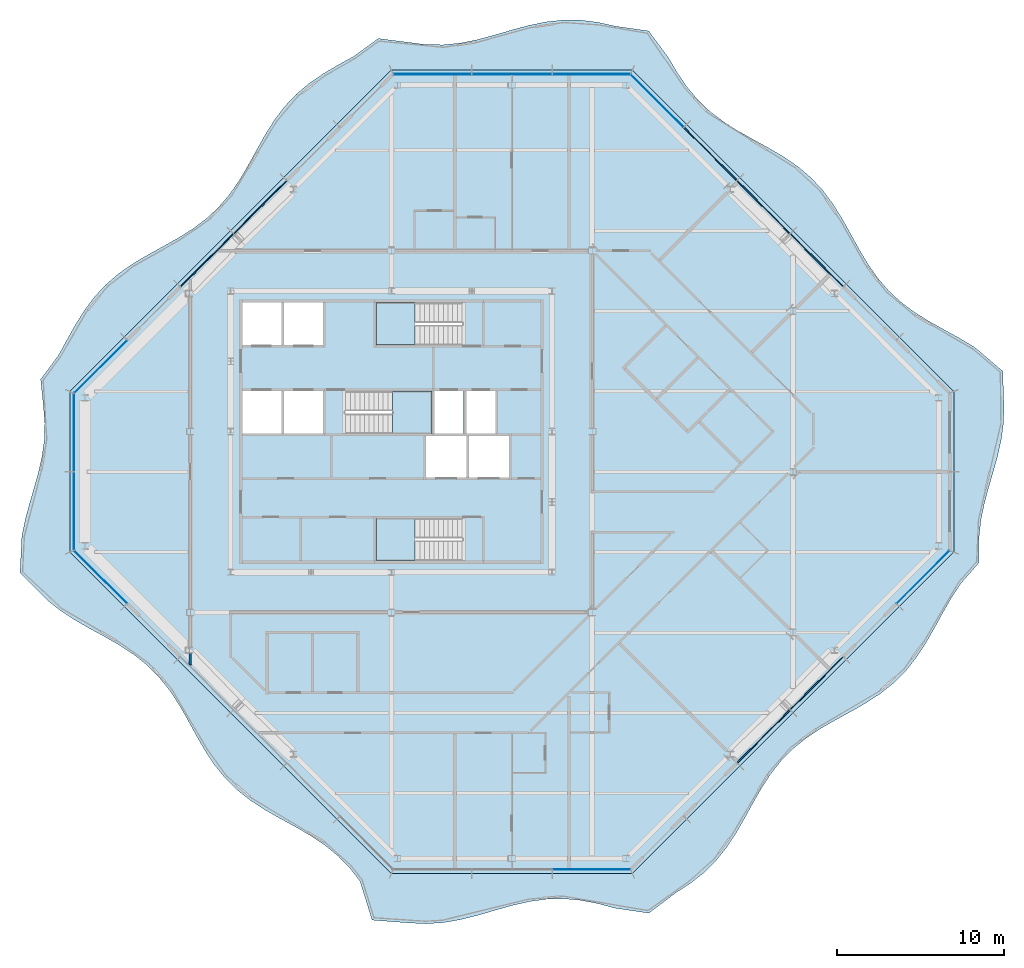
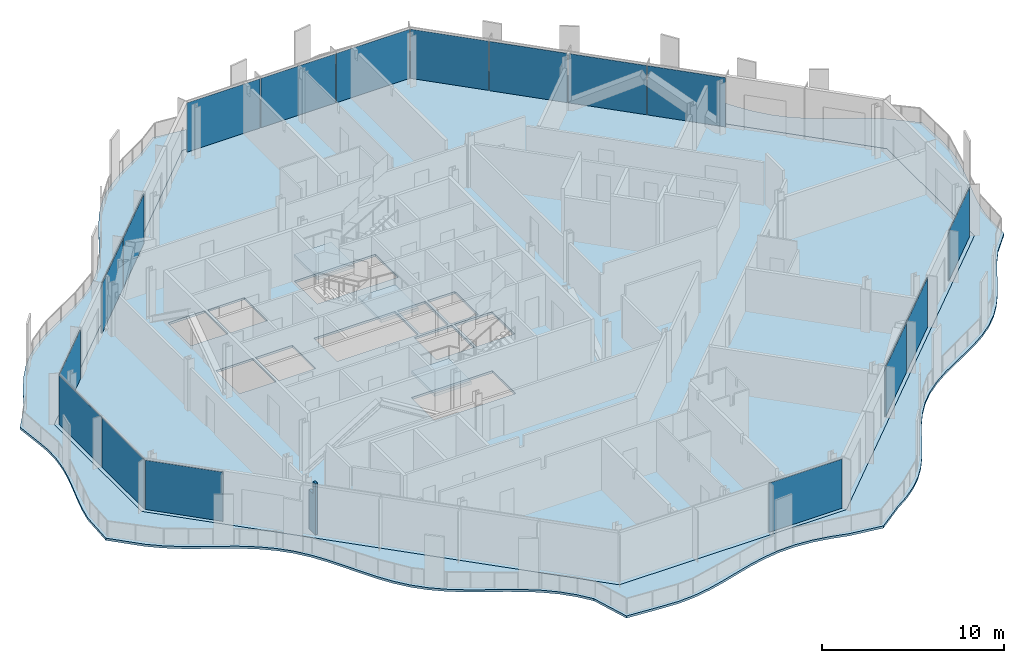
# One storey, part 6 of 16: 17 plates, 5 slabs, 1 wall, 10 elements without a shape of their own.
"""IFC4 building model written with IfcOpenShell, lengths in metres."""

from ifc_helpers import new_model, si_unit, direction, frame, origin, origin_2d, place, context, subcontext, project, spatial, polyline, rectangle, outline, extrude, material, layer, layer_set, type_object, element, aggregate, save


model = new_model("IFC4")

# Units and contexts
model_context = context("Model", 3, precision=1e-05, world=origin(), true_north=direction((0.0, 1.0)))
body_context = subcontext(model_context, "Body", "Model", "MODEL_VIEW")
ifc_project = project(units=[si_unit("LENGTHUNIT", "METRE"), si_unit("AREAUNIT", "SQUARE_METRE"), si_unit("VOLUMEUNIT", "CUBIC_METRE"), si_unit("PLANEANGLEUNIT", "RADIAN"), si_unit("MASSUNIT", "GRAM", prefix="KILO")], contexts=[model_context])

# Site, building, storey
site_placement = place(None, origin())
site = spatial("IfcSite", under=ifc_project, at=site_placement, CompositionType="ELEMENT")
building_placement = place(site_placement, origin())
building = spatial("IfcBuilding", under=site, at=building_placement, Name="Cairn Pilgrim Tower", CompositionType="ELEMENT")
storey_placement = place(building_placement, frame((0.0, 0.0, 285.0)))
storey = spatial("IfcBuildingStorey", under=building, at=storey_placement, Name="L73", CompositionType="ELEMENT", Elevation=285.0)

# Slabs
ifc_material_1 = material(Name="Concrete C35/45", Category="concrete")
ifc_layer_1 = layer(ifc_material_1, 0.14990234375)
ifc_layer_set_1 = layer_set([ifc_layer_1], Name="BALCONY SLAB 150 CONCRETE C35/45")
slab_type_1 = type_object("IfcSlabType", Name="BALCONY SLAB 150 CONCRETE C35/45", PredefinedType="FLOOR", material=ifc_layer_set_1)
slab_1_placement = place(storey_placement, frame((0.0, 0.0, -0.14990234375)))
element("IfcSlab", 1, at=slab_1_placement, inside=storey, type_object=slab_type_1, Name="Balcony slab BS-1", PredefinedType="FLOOR", context=body_context, shape_type="SweptSolid", body=[
    extrude(outline(polyline([(5.326171875, -24.45166015625), (6.04833984375, -26.7802734375), (8.228515625, -26.946044921875), (9.257080078125, -26.999755859375), (10.28564453125, -26.932861328125), (11.314208984375, -26.756103515625), (12.3427734375, -26.497802734375), (13.371337890625, -26.199462890625), (14.39990234375, -25.909423828125), (15.428466796875, -25.67431640625), (16.45703125, -25.53173828125), (17.485595703125, -25.504638671875), (18.514404296875, -25.59765625), (19.54296875, -25.795654296875), (20.571533203125, -26.066650390625), (22.58056640625, -26.367431640625), (24.18017578125, -25.157958984375), (25.043701171875, -24.59912109375), (25.8408203125, -23.97412109375), (26.55859375, -23.26953125), (27.195556640625, -22.484619140625), (27.763671875, -21.63037109375), (28.284423828125, -20.72900390625), (28.78759765625, -19.809814453125), (29.304931640625, -18.90478515625), (29.8662109375, -18.0439453125), (30.49462890625, -17.250244140625), (31.202880859375, -16.536376953125), (31.991455078125, -15.902587890625), (32.848388671875, -15.337158203125), (33.751220703125, -14.81787109375), (34.67041015625, -14.314697265625), (35.573974609375, -13.796142578125), (36.43212890625, -13.232177734375), (37.22265625, -12.600341796875), (37.932861328125, -11.888427734375), (38.56298828125, -11.096435546875), (39.125732421875, -10.23681640625), (39.643798828125, -9.332763671875), (40.14697265625, -8.41357421875), (40.6669921875, -7.511474609375), (41.233642578125, -6.65576171875), (42.3115234375, -5.426025390625), (42.315185546875, -3.840087890625), (42.422119140625, -2.8798828125), (42.616943359375, -1.919921875), (42.872802734375, -0.9599609375), (43.153564453125, 0.0), (43.419677734375, 0.9599609375), (43.634033203125, 1.919921875), (43.76611328125, 2.8798828125), (43.7978515625, 3.840087890625), (43.724365234375, 6.01123046875), (42.03076171875, 7.453125), (41.1396484375, 7.984130859375), (40.222412109375, 8.489013671875), (39.310302734375, 8.999267578125), (38.434814453125, 9.5458984375), (37.620849609375, 10.154052734375), (36.88427734375, 10.83984375), (36.2294921875, 11.607177734375), (35.647216796875, 12.447265625), (35.117919921875, 13.340087890625), (34.613525390625, 14.258056640625), (34.102294921875, 15.1689453125), (33.553466796875, 16.042236328125), (32.94189453125, 16.85302734375), (32.25244140625, 17.585693359375), (31.4814453125, 18.237060546875), (30.638671875, 18.81640625), (29.743896484375, 19.343994140625), (28.82568359375, 19.847900390625), (27.915771484375, 20.3603515625), (27.044921875, 20.91162109375), (26.2373046875, 21.5263671875), (25.50830078125, 22.219482421875), (24.860595703125, 22.993896484375), (24.283935546875, 23.839599609375), (23.758056640625, 24.73583984375), (22.569091796875, 26.33984375), (20.571533203125, 26.625244140625), (19.54296875, 26.850341796875), (18.514404296875, 26.978759765625), (17.485595703125, 26.98974609375), (16.45703125, 26.8818359375), (15.428466796875, 26.672119140625), (14.39990234375, 26.39453125), (13.371337890625, 26.09375), (12.3427734375, 25.818115234375), (11.314208984375, 25.61181640625), (10.28564453125, 25.50830078125), (9.257080078125, 25.524169921875), (8.228515625, 25.656982421875), (6.419189453125, 25.885009765625), (4.957763671875, 24.81982421875), (4.039306640625, 24.316162109375), (3.1435546875, 23.789794921875), (2.299072265625, 23.212158203125), (1.526123046875, 22.56298828125), (0.834228515625, 21.83251953125), (0.220703125, 21.023681640625), (-0.32958984375, 20.15185546875), (-0.841552734375, 19.241455078125), (-1.345703125, 18.323486328125), (-1.873779296875, 17.429443359375), (-2.454345703125, 16.587646484375), (-3.107177734375, 15.818115234375), (-3.84130859375, 15.130126953125), (-4.653076171875, 14.519775390625), (-5.52734375, 13.9716796875), (-6.438720703125, 13.4609375), (-7.3564453125, 12.956298828125), (-8.24853515625, 12.426513671875), (-9.087646484375, 11.843017578125), (-9.853515625, 11.186767578125), (-10.537841796875, 10.448974609375), (-11.144775390625, 9.6337890625), (-11.690673828125, 8.75732421875), (-12.200439453125, 7.844970703125), (-12.70556640625, 6.927734375), (-13.75, 5.52490234375), (-13.579345703125, 3.840087890625), (-13.5029296875, 2.8798828125), (-13.53125, 1.919921875), (-13.660888671875, 0.9599609375), (-13.873046875, 0.0), (-14.13818359375, -0.9599609375), (-14.4189453125, -1.919921875), (-14.676025390625, -2.8798828125), (-14.873291015625, -3.840087890625), (-14.983154296875, -6.03564453125), (-13.4013671875, -7.62353515625), (-12.613037109375, -8.257568359375), (-11.756591796875, -8.8232421875), (-10.853759765625, -9.3427734375), (-9.9345703125, -9.845703125), (-9.031005859375, -10.3642578125), (-8.17236328125, -10.927978515625), (-7.3818359375, -11.5595703125), (-6.671142578125, -12.271240234375), (-6.040771484375, -13.06298828125), (-5.477783203125, -13.922119140625), (-4.959716796875, -14.826416015625), (-4.45654296875, -15.74560546875), (-3.9365234375, -16.647705078125), (-3.370361328125, -17.503662109375), (-2.7353515625, -18.290771484375), (-2.019775390625, -18.99755859375), (-1.224853515625, -19.624755859375), (-0.363037109375, -20.18505859375), (0.54248046875, -20.701904296875), (1.461669921875, -21.205078125), (2.3623046875, -21.7265625), (3.215576171875, -22.295654296875), (3.999267578125, -22.93408203125), (4.702392578125, -23.653076171875), (5.326171875, -24.45166015625)]), holes=[polyline([(21.60009765625, -24.0), (7.199951171875, -24.0), (-12.0, -4.800048828125), (-12.0, 4.800048828125), (7.199951171875, 24.0), (21.60009765625, 24.0), (40.800048828125, 4.800048828125), (40.800048828125, -4.800048828125), (21.60009765625, -24.0)])]), origin(), (0.0, 0.0, 1.0), 0.14990234375),
])
ifc_layer_2 = layer(ifc_material_1, 0.14990234375)
ifc_layer_set_2 = layer_set([ifc_layer_2], Name="COMPOSITE FLOOR SLAB 150")
slab_type_2 = type_object("IfcSlabType", Name="COMPOSITE FLOOR SLAB 150", PredefinedType="FLOOR", material=ifc_layer_set_2)
slab_2_placement = place(storey_placement, frame((0.0, 0.0, -0.14990234375)))
element("IfcSlab", 2, at=slab_2_placement, inside=storey, type_object=slab_type_2, Name="FLOOR SLAB L73", PredefinedType="FLOOR", context=body_context, shape_type="SweptSolid", body=[
    extrude(outline(polyline([(7.199951171875, -24.0), (21.60009765625, -24.0), (40.800048828125, -4.800048828125), (40.800048828125, 4.800048828125), (21.60009765625, 24.0), (7.199951171875, 24.0), (-12.0, 4.800048828125), (-12.0, -4.800048828125), (7.199951171875, -24.0)]), holes=[polyline([(9.27490234375, -0.324951171875), (11.675048828125, -0.324951171875), (11.675048828125, 2.125), (9.27490234375, 2.125), (9.27490234375, -0.324951171875)]), polyline([(11.824951171875, -0.324951171875), (14.22509765625, -0.324951171875), (14.22509765625, 2.125), (11.824951171875, 2.125), (11.824951171875, -0.324951171875)]), polyline([(-1.72509765625, 2.27490234375), (0.625, 2.27490234375), (0.625, 4.824951171875), (-1.72509765625, 4.824951171875), (-1.72509765625, 2.27490234375)]), polyline([(0.77490234375, 2.27490234375), (3.125, 2.27490234375), (3.125, 4.824951171875), (0.77490234375, 4.824951171875), (0.77490234375, 2.27490234375)]), polyline([(-1.72509765625, 7.574951171875), (0.625, 7.574951171875), (0.625, 10.10009765625), (-1.72509765625, 10.10009765625), (-1.72509765625, 7.574951171875)]), polyline([(0.77490234375, 7.574951171875), (3.125, 7.574951171875), (3.125, 10.10009765625), (0.77490234375, 10.10009765625), (0.77490234375, 7.574951171875)]), polyline([(9.77490234375, 2.27490234375), (11.52490234375, 2.27490234375), (11.52490234375, 4.824951171875), (9.77490234375, 4.824951171875), (9.77490234375, 2.27490234375)]), polyline([(11.675048828125, 2.27490234375), (13.425048828125, 2.27490234375), (13.425048828125, 4.824951171875), (11.675048828125, 4.824951171875), (11.675048828125, 2.27490234375)]), polyline([(11.424560546875, -2.77490234375), (6.27490234375, -2.77490234375), (6.27490234375, -5.300048828125), (11.424560546875, -5.300048828125), (11.424560546875, -2.77490234375)]), polyline([(4.4755859375, 2.27490234375), (9.625, 2.27490234375), (9.625, 4.824951171875), (4.4755859375, 4.824951171875), (4.4755859375, 2.27490234375)]), polyline([(11.424560546875, 10.10009765625), (6.27490234375, 10.10009765625), (6.27490234375, 7.574951171875), (11.424560546875, 7.574951171875), (11.424560546875, 10.10009765625)])]), origin(), (0.0, 0.0, 1.0), 0.14990234375),
])

# Curtain wall, plates
ifc_material_2 = material(Name="Aluminium alloy 6063-T6 bronze anodised with Bronze tinted laminated low-E glass 8+16+8.8", Category="aluminium")
curtain_wall_type = type_object("IfcCurtainWallType", Name="CROWN CURTAIN WALL", PredefinedType="NOTDEFINED", material=ifc_material_2)
curtain_wall_1_placement = place(storey_placement, origin())
curtain_wall_1 = element("IfcCurtainWall", 3, at=curtain_wall_1_placement, inside=storey, type_object=curtain_wall_type, Name="Crown Curtain Wall SE", PredefinedType="NOTDEFINED")
ifc_material_3 = material(Name="Bronze anodised aluminium spandrel panel with mineral wool insulation", Category="aluminium")
ifc_layer_3 = layer(ifc_material_3, 0.06005859375)
ifc_layer_set_3 = layer_set([ifc_layer_3], Name="SPANDREL PANEL 4431x3300")
plate_type_1 = type_object("IfcPlateType", Name="SPANDREL PANEL 4431x3300", PredefinedType="CURTAIN_PANEL", material=ifc_layer_set_3)
plate_1_placement = place(storey_placement, frame((29.435546875, -15.81103515625, 0.0), z_axis=(0.0, 0.0, 1.0), x_axis=(0.707106781187, 0.707106781187, 0.0)))
plate_1 = element("IfcPlate", 4, at=plate_1_placement, type_object=plate_type_1, Name="Spandrel Panel SE3-1", PredefinedType="CURTAIN_PANEL", context=body_context, shape_type="SweptSolid", body=[
    extrude(rectangle(XDim=4.430908203125, YDim=0.06005859375, at=origin_2d()), origin(), (0.0, 0.0, 1.0), 3.300048828125),
])
plate_2_placement = place(storey_placement, frame((32.611083984375, -12.635498046875, 0.0), z_axis=(0.0, 0.0, 1.0), x_axis=(0.707106781187, 0.707106781187, 0.0)))
plate_2 = element("IfcPlate", 5, at=plate_2_placement, type_object=plate_type_1, Name="Spandrel Panel SE4-1", PredefinedType="CURTAIN_PANEL", context=body_context, shape_type="SweptSolid", body=[
    extrude(rectangle(XDim=4.430908203125, YDim=0.06005859375, at=origin_2d()), origin(), (0.0, 0.0, 1.0), 3.300048828125),
])

curtain_wall_2_placement = place(storey_placement, origin())
curtain_wall_2 = element("IfcCurtainWall", 6, at=curtain_wall_2_placement, inside=storey, type_object=curtain_wall_type, Name="Crown Curtain Wall NE", PredefinedType="NOTDEFINED")
plate_3_placement = place(storey_placement, frame((32.611083984375, 12.635498046875, 0.0), z_axis=(0.0, 0.0, 1.0), x_axis=(-0.707106781187, 0.707106781187, 0.0)))
plate_3 = element("IfcPlate", 7, at=plate_3_placement, type_object=plate_type_1, Name="Spandrel Panel NE3-1", PredefinedType="CURTAIN_PANEL", context=body_context, shape_type="SweptSolid", body=[
    extrude(rectangle(XDim=4.430908203125, YDim=0.06005859375, at=origin_2d()), origin(), (0.0, 0.0, 1.0), 3.300048828125),
])
plate_4_placement = place(storey_placement, frame((29.435546875, 15.81103515625, 0.0), z_axis=(0.0, 0.0, 1.0), x_axis=(-0.707106781187, 0.707106781187, 0.0)))
plate_4 = element("IfcPlate", 8, at=plate_4_placement, type_object=plate_type_1, Name="Spandrel Panel NE4-1", PredefinedType="CURTAIN_PANEL", context=body_context, shape_type="SweptSolid", body=[
    extrude(rectangle(XDim=4.430908203125, YDim=0.06005859375, at=origin_2d()), origin(), (0.0, 0.0, 1.0), 3.300048828125),
])
plate_5_placement = place(storey_placement, frame((26.259765625, 18.986572265625, 0.0), z_axis=(0.0, 0.0, 1.0), x_axis=(-0.707106781187, 0.707106781187, 0.0)))
plate_5 = element("IfcPlate", 9, at=plate_5_placement, type_object=plate_type_1, Name="Spandrel Panel NE5-1", PredefinedType="CURTAIN_PANEL", context=body_context, shape_type="SweptSolid", body=[
    extrude(rectangle(XDim=4.430908203125, YDim=0.06005859375, at=origin_2d()), origin(), (0.0, 0.0, 1.0), 3.300048828125),
])

curtain_wall_3_placement = place(storey_placement, origin())
curtain_wall_3 = element("IfcCurtainWall", 10, at=curtain_wall_3_placement, inside=storey, type_object=curtain_wall_type, Name="Crown Curtain Wall NW", PredefinedType="NOTDEFINED")
plate_6_placement = place(storey_placement, frame((-0.635498046875, 15.81103515625, 0.0), z_axis=(0.0, 0.0, 1.0), x_axis=(-0.707106781187, -0.707106781187, 0.0)))
plate_6 = element("IfcPlate", 11, at=plate_6_placement, type_object=plate_type_1, Name="Spandrel Panel NW3-1", PredefinedType="CURTAIN_PANEL", context=body_context, shape_type="SweptSolid", body=[
    extrude(rectangle(XDim=4.430908203125, YDim=0.06005859375, at=origin_2d()), origin(), (0.0, 0.0, 1.0), 3.300048828125),
])
plate_7_placement = place(storey_placement, frame((-3.81103515625, 12.635498046875, 0.0), z_axis=(0.0, 0.0, 1.0), x_axis=(-0.707106781187, -0.707106781187, 0.0)))
plate_7 = element("IfcPlate", 12, at=plate_7_placement, type_object=plate_type_1, Name="Spandrel Panel NW4-1", PredefinedType="CURTAIN_PANEL", context=body_context, shape_type="SweptSolid", body=[
    extrude(rectangle(XDim=4.430908203125, YDim=0.06005859375, at=origin_2d()), origin(), (0.0, 0.0, 1.0), 3.300048828125),
])

# Stair, slab
ifc_material_4 = material(Name="Concrete C32/40", Category="concrete")
stair_type = type_object("IfcStairType", Name="EXIT STAIR 1200", PredefinedType="HALF_TURN_STAIR", material=ifc_material_4)
stair_1_placement = place(storey_placement, origin())
stair_1 = element("IfcStair", 13, at=stair_1_placement, inside=storey, type_object=stair_type, Name="L73 Exit Stair A", PredefinedType="HALF_TURN_STAIR")
ifc_layer_4 = layer(ifc_material_4, 0.199951171875)
ifc_layer_set_4 = layer_set([ifc_layer_4], Name="STAIR LANDING 200")
slab_type_3 = type_object("IfcSlabType", Name="STAIR LANDING 200", PredefinedType="LANDING", material=ifc_layer_set_4)
slab_3_placement = place(storey_placement, frame((0.0, 0.0, 1.60009765625)))
slab_3 = element("IfcSlab", 14, at=slab_3_placement, type_object=slab_type_3, Name="ST-A landing 1", PredefinedType="LANDING", context=body_context, shape_type="SweptSolid", body=[
    extrude(outline(polyline([(8.625, -2.77490234375), (6.27490234375, -2.77490234375), (6.27490234375, -5.300048828125), (8.625, -5.300048828125), (8.625, -2.77490234375)])), origin(), (0.0, 0.0, 1.0), 0.199951171875),
])
aggregate(stair_1, [slab_3])

stair_2_placement = place(storey_placement, origin())
stair_2 = element("IfcStair", 15, at=stair_2_placement, inside=storey, type_object=stair_type, Name="L73 Exit Stair B", PredefinedType="HALF_TURN_STAIR")
slab_4_placement = place(storey_placement, frame((0.0, 0.0, 1.60009765625)))
slab_4 = element("IfcSlab", 16, at=slab_4_placement, type_object=slab_type_3, Name="ST-B landing 1", PredefinedType="LANDING", context=body_context, shape_type="SweptSolid", body=[
    extrude(outline(polyline([(7.27490234375, 2.27490234375), (9.625, 2.27490234375), (9.625, 4.824951171875), (7.27490234375, 4.824951171875), (7.27490234375, 2.27490234375)])), origin(), (0.0, 0.0, 1.0), 0.199951171875),
])
aggregate(stair_2, [slab_4])

stair_3_placement = place(storey_placement, origin())
stair_3 = element("IfcStair", 17, at=stair_3_placement, inside=storey, type_object=stair_type, Name="L73 Exit Stair C", PredefinedType="HALF_TURN_STAIR")
slab_5_placement = place(storey_placement, frame((0.0, 0.0, 1.60009765625)))
slab_5 = element("IfcSlab", 18, at=slab_5_placement, type_object=slab_type_3, Name="ST-C landing 1", PredefinedType="LANDING", context=body_context, shape_type="SweptSolid", body=[
    extrude(outline(polyline([(8.625, 10.10009765625), (6.27490234375, 10.10009765625), (6.27490234375, 7.574951171875), (8.625, 7.574951171875), (8.625, 10.10009765625)])), origin(), (0.0, 0.0, 1.0), 0.199951171875),
])
aggregate(stair_3, [slab_5])

# Plate
ifc_material_5 = material(Name="Bronze tinted laminated low-E glass 8+16+8.8", Category="glass")
ifc_layer_5 = layer(ifc_material_5, 0.033935546875)
ifc_layer_set_5 = layer_set([ifc_layer_5], Name="VISION GLAZING 4421x3300")
plate_type_2 = type_object("IfcPlateType", Name="VISION GLAZING 4421x3300", PredefinedType="CURTAIN_PANEL", material=ifc_layer_set_5)
plate_8_placement = place(storey_placement, frame((38.958740234375, -6.287841796875, 0.0), z_axis=(0.0, 0.0, 1.0), x_axis=(0.707106781187, 0.707106781187, 0.0)))
plate_8 = element("IfcPlate", 19, at=plate_8_placement, type_object=plate_type_2, Name="Vision Glazing SE6-1", PredefinedType="CURTAIN_PANEL", context=body_context, shape_type="SweptSolid", body=[
    extrude(rectangle(XDim=4.4208984375, YDim=0.033935546875, at=origin_2d()), origin(), (0.0, 0.0, 1.0), 3.300048828125),
])

aggregate(curtain_wall_1, [plate_1, plate_2, plate_8])

plate_9_placement = place(storey_placement, frame((23.087890625, 22.15869140625, 0.0), z_axis=(0.0, 0.0, 1.0), x_axis=(-0.707106781187, 0.707106781187, 0.0)))
plate_9 = element("IfcPlate", 20, at=plate_9_placement, type_object=plate_type_2, Name="Vision Glazing NE6-1", PredefinedType="CURTAIN_PANEL", context=body_context, shape_type="SweptSolid", body=[
    extrude(rectangle(XDim=4.4208984375, YDim=0.033935546875, at=origin_2d()), origin(), (0.0, 0.0, 1.0), 3.300048828125),
])

aggregate(curtain_wall_2, [plate_3, plate_4, plate_5, plate_9])

plate_10_placement = place(storey_placement, frame((-10.15869140625, 6.287841796875, 0.0), z_axis=(0.0, 0.0, 1.0), x_axis=(-0.707106781187, -0.707106781187, 0.0)))
plate_10 = element("IfcPlate", 21, at=plate_10_placement, type_object=plate_type_2, Name="Vision Glazing NW6-1", PredefinedType="CURTAIN_PANEL", context=body_context, shape_type="SweptSolid", body=[
    extrude(rectangle(XDim=4.4208984375, YDim=0.033935546875, at=origin_2d()), origin(), (0.0, 0.0, 1.0), 3.300048828125),
])

aggregate(curtain_wall_3, [plate_6, plate_7, plate_10])

# Curtain wall, plate
curtain_wall_4_placement = place(storey_placement, origin())
curtain_wall_4 = element("IfcCurtainWall", 22, at=curtain_wall_4_placement, inside=storey, type_object=curtain_wall_type, Name="Crown Curtain Wall SW", PredefinedType="NOTDEFINED")
plate_11_placement = place(storey_placement, frame((-10.15869140625, -6.287841796875, 0.0), z_axis=(0.0, 0.0, 1.0), x_axis=(0.707106781187, -0.707106781187, 0.0)))
plate_11 = element("IfcPlate", 23, at=plate_11_placement, type_object=plate_type_2, Name="Vision Glazing SW1-1", PredefinedType="CURTAIN_PANEL", context=body_context, shape_type="SweptSolid", body=[
    extrude(rectangle(XDim=4.4208984375, YDim=0.033935546875, at=origin_2d()), origin(), (0.0, 0.0, 1.0), 3.300048828125),
])
aggregate(curtain_wall_4, [plate_11])

curtain_wall_5_placement = place(storey_placement, origin())
curtain_wall_5 = element("IfcCurtainWall", 24, at=curtain_wall_5_placement, inside=storey, type_object=curtain_wall_type, Name="Crown Curtain Wall S", PredefinedType="NOTDEFINED")
ifc_layer_6 = layer(ifc_material_5, 0.033935546875)
ifc_layer_set_6 = layer_set([ifc_layer_6], Name="VISION GLAZING 4626x3300")
plate_type_3 = type_object("IfcPlateType", Name="VISION GLAZING 4626x3300", PredefinedType="CURTAIN_PANEL", material=ifc_layer_set_6)
plate_12_placement = place(storey_placement, frame((19.143310546875, -23.75, 0.0), z_axis=(0.0, 0.0, 1.0), x_axis=(1.0, 0.0, 0.0)))
plate_12 = element("IfcPlate", 25, at=plate_12_placement, type_object=plate_type_3, Name="Vision Glazing S3-1", PredefinedType="CURTAIN_PANEL", context=body_context, shape_type="SweptSolid", body=[
    extrude(rectangle(XDim=4.62646484375, YDim=0.033935546875, at=origin_2d()), origin(), (0.0, 0.0, 1.0), 3.300048828125),
])
aggregate(curtain_wall_5, [plate_12])

# Curtain wall, plates
curtain_wall_6_placement = place(storey_placement, origin())
curtain_wall_6 = element("IfcCurtainWall", 26, at=curtain_wall_6_placement, inside=storey, type_object=curtain_wall_type, Name="Crown Curtain Wall N", PredefinedType="NOTDEFINED")
plate_13_placement = place(storey_placement, frame((19.143310546875, 23.75, 0.0), z_axis=(0.0, 0.0, 1.0), x_axis=(-1.0, 0.0, 0.0)))
plate_13 = element("IfcPlate", 27, at=plate_13_placement, type_object=plate_type_3, Name="Vision Glazing N1-1", PredefinedType="CURTAIN_PANEL", context=body_context, shape_type="SweptSolid", body=[
    extrude(rectangle(XDim=4.62646484375, YDim=0.033935546875, at=origin_2d()), origin(), (0.0, 0.0, 1.0), 3.300048828125),
])
plate_14_placement = place(storey_placement, frame((9.65673828125, 23.75, 0.0), z_axis=(0.0, 0.0, 1.0), x_axis=(-1.0, 0.0, 0.0)))
plate_14 = element("IfcPlate", 28, at=plate_14_placement, type_object=plate_type_3, Name="Vision Glazing N3-1", PredefinedType="CURTAIN_PANEL", context=body_context, shape_type="SweptSolid", body=[
    extrude(rectangle(XDim=4.62646484375, YDim=0.033935546875, at=origin_2d()), origin(), (0.0, 0.0, 1.0), 3.300048828125),
])

curtain_wall_7_placement = place(storey_placement, origin())
curtain_wall_7 = element("IfcCurtainWall", 29, at=curtain_wall_7_placement, inside=storey, type_object=curtain_wall_type, Name="Crown Curtain Wall W", PredefinedType="NOTDEFINED")
plate_15_placement = place(storey_placement, frame((-11.75, 2.34326171875, 0.0), z_axis=(0.0, 0.0, 1.0), x_axis=(0.0, -1.0, 0.0)))
plate_15 = element("IfcPlate", 30, at=plate_15_placement, type_object=plate_type_3, Name="Vision Glazing W1-1", PredefinedType="CURTAIN_PANEL", context=body_context, shape_type="SweptSolid", body=[
    extrude(rectangle(XDim=4.62646484375, YDim=0.033935546875, at=origin_2d()), origin(), (0.0, 0.0, 1.0), 3.300048828125),
])
plate_16_placement = place(storey_placement, frame((-11.75, -2.34326171875, 0.0), z_axis=(0.0, 0.0, 1.0), x_axis=(0.0, -1.0, 0.0)))
plate_16 = element("IfcPlate", 31, at=plate_16_placement, type_object=plate_type_3, Name="Vision Glazing W2-1", PredefinedType="CURTAIN_PANEL", context=body_context, shape_type="SweptSolid", body=[
    extrude(rectangle(XDim=4.62646484375, YDim=0.033935546875, at=origin_2d()), origin(), (0.0, 0.0, 1.0), 3.300048828125),
])
aggregate(curtain_wall_7, [plate_15, plate_16])

# Plate
ifc_layer_7 = layer(ifc_material_5, 0.033935546875)
ifc_layer_set_7 = layer_set([ifc_layer_7], Name="VISION GLAZING 4740x3300")
plate_type_4 = type_object("IfcPlateType", Name="VISION GLAZING 4740x3300", PredefinedType="CURTAIN_PANEL", material=ifc_layer_set_7)
plate_17_placement = place(storey_placement, frame((14.39990234375, 23.75, 0.0), z_axis=(0.0, 0.0, 1.0), x_axis=(-1.0, 0.0, 0.0)))
plate_17 = element("IfcPlate", 32, at=plate_17_placement, type_object=plate_type_4, Name="Vision Glazing N2-1", PredefinedType="CURTAIN_PANEL", context=body_context, shape_type="SweptSolid", body=[
    extrude(rectangle(XDim=4.739990234375, YDim=0.033935546875, at=origin_2d()), origin(), (0.0, 0.0, 1.0), 3.300048828125),
])

aggregate(curtain_wall_6, [plate_13, plate_17, plate_14])

# Wall
ifc_material_6 = material(Name="Gypsum partition")
ifc_layer_8 = layer(ifc_material_6, 0.14990234375)
ifc_layer_set_8 = layer_set([ifc_layer_8], Name="PARTITION 150 DRYWALL EI 60")
wall_type = type_object("IfcWallType", Name="PARTITION 150 DRYWALL EI 60", PredefinedType="PARTITIONING", material=ifc_layer_set_8)
wall_placement = place(storey_placement, frame((-4.800048828125, -11.526123046875, 0.0), z_axis=(0.0, 0.0, 1.0), x_axis=(0.0, 1.0, 0.0)))
element("IfcWall", 33, at=wall_placement, inside=storey, type_object=wall_type, Name="PARTITION W022", PredefinedType="PARTITIONING", context=body_context, shape_type="SweptSolid", body=[
    extrude(outline(polyline([(0.0, 0.0), (0.690673828125, 0.0), (0.690673828125, 2.6298828125), (0.22900390625, 2.6298828125), (0.226806640625, 3.449951171875), (0.0, 3.449951171875), (0.0, 0.0)])), frame((0.0, 0.074951171875, 0.0), z_axis=(0.0, -1.0, 0.0), x_axis=(1.0, 0.0, 0.0)), (0.0, 0.0, 1.0), 0.14990234375),
])

save(model, "model.ifc")
